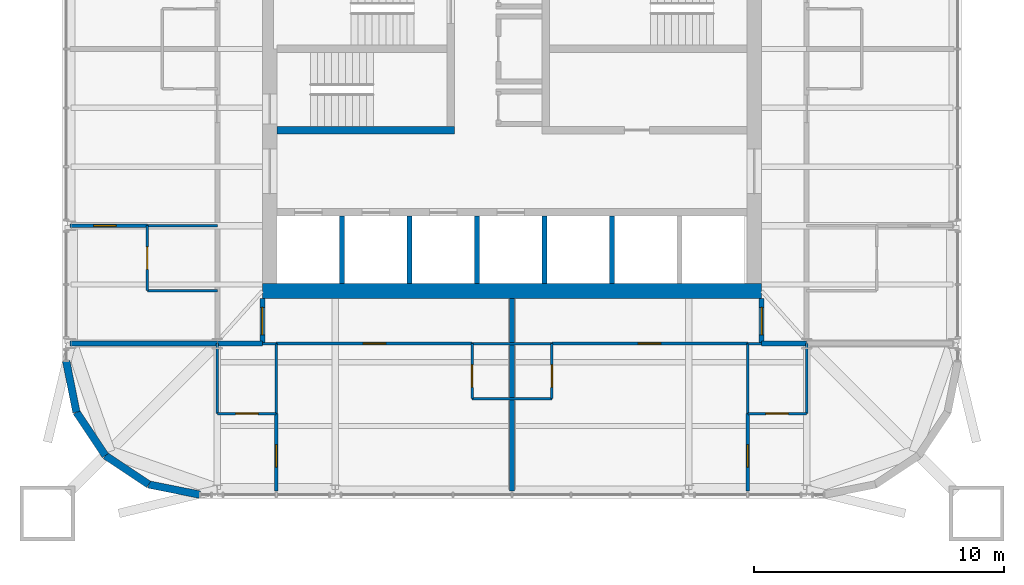
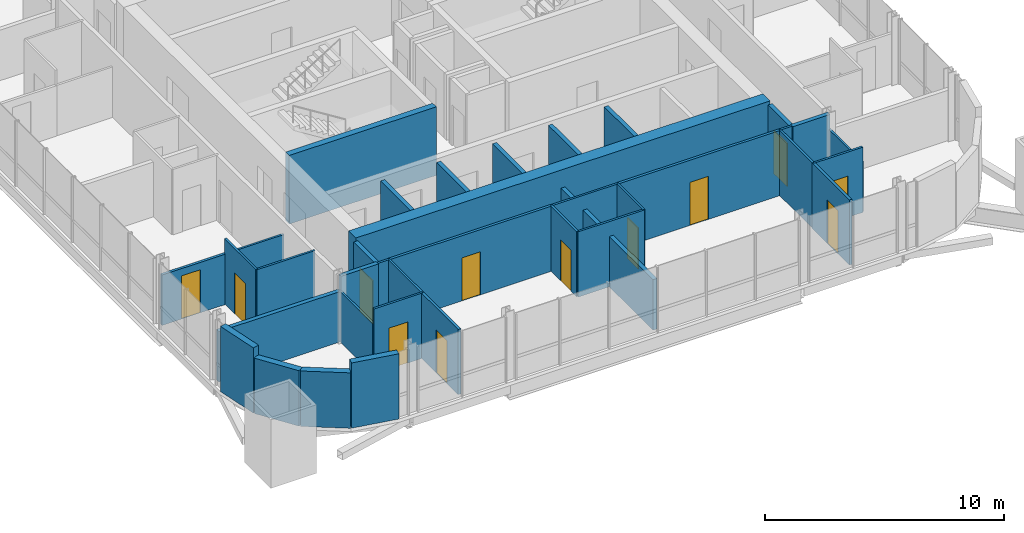
# One storey, part 12 of 16: 37 walls, 12 doors, 12 openings.
"""IFC4 building model written with IfcOpenShell, lengths in metres."""

from ifc_helpers import new_model, si_unit, direction, frame, frame_2d, origin, place, context, subcontext, project, spatial, rectangle, extrude, material, layer, layer_set, type_object, element, fill, save


model = new_model("IFC4")

# Units and contexts
model_context = context("Model", 3, precision=1e-05, world=origin(), true_north=direction((0.0, 1.0)))
body_context = subcontext(model_context, "Body", "Model", "MODEL_VIEW")
ifc_project = project(units=[si_unit("LENGTHUNIT", "METRE"), si_unit("AREAUNIT", "SQUARE_METRE"), si_unit("VOLUMEUNIT", "CUBIC_METRE"), si_unit("PLANEANGLEUNIT", "RADIAN"), si_unit("MASSUNIT", "GRAM", prefix="KILO")], contexts=[model_context])

# Site, building, storey
site_placement = place(None, origin())
site = spatial("IfcSite", under=ifc_project, at=site_placement, CompositionType="ELEMENT")
building_placement = place(site_placement, origin())
building = spatial("IfcBuilding", under=site, at=building_placement, Name="Turquesa Mirador Hotel Tower", CompositionType="ELEMENT")
storey_placement = place(building_placement, frame((0.0, 0.0, 230.199951171875)))
storey = spatial("IfcBuildingStorey", under=building, at=storey_placement, Name="L62", CompositionType="ELEMENT", Elevation=230.199951171875)

# Walls
ifc_material_1 = material(Name="Gypsum board on steel studs", Category="steel")
ifc_layer_1 = layer(ifc_material_1, 0.10009765625)
ifc_layer_set_1 = layer_set([ifc_layer_1], Name="BATHROOM WALL 100")
wall_type_1 = type_object("IfcWallType", Name="BATHROOM WALL 100", PredefinedType="PARTITIONING", material=ifc_layer_set_1)
wall_1_placement = place(storey_placement, frame((45.0, 33.199951171875, 0.0), z_axis=(0.0, 0.0, 1.0), x_axis=(1.0, 0.0, 0.0)))
element("IfcWall", 1, at=wall_1_placement, inside=storey, type_object=wall_type_1, Name="Partition L62 003", PredefinedType="PARTITIONING", context=body_context, shape_type="SweptSolid", body=[
    extrude(rectangle(XDim=0.56005859375, YDim=0.10009765625, at=frame_2d((0.280029296875, 0.0))), origin(), (0.0, 0.0, 1.0), 3.330078125),
])
wall_2_placement = place(storey_placement, frame((53.39990234375, 33.199951171875, 0.0), z_axis=(0.0, 0.0, 1.0), x_axis=(1.0, 0.0, 0.0)))
element("IfcWall", 2, at=wall_2_placement, inside=storey, type_object=wall_type_1, Name="Partition L62 004", PredefinedType="PARTITIONING", context=body_context, shape_type="SweptSolid", body=[
    extrude(rectangle(XDim=3.2001953125, YDim=0.10009765625, at=frame_2d((1.60009765625, 0.0))), origin(), (0.0, 0.0, 1.0), 3.330078125),
])
wall_3_placement = place(storey_placement, frame((64.43994140625, 33.199951171875, 0.0), z_axis=(0.0, 0.0, 1.0), x_axis=(1.0, 0.0, 0.0)))
element("IfcWall", 3, at=wall_3_placement, inside=storey, type_object=wall_type_1, Name="Partition L62 005", PredefinedType="PARTITIONING", context=body_context, shape_type="SweptSolid", body=[
    extrude(rectangle(XDim=0.56005859375, YDim=0.10009765625, at=frame_2d((0.280029296875, 0.0))), origin(), (0.0, 0.0, 1.0), 3.330078125),
])
wall_4_placement = place(storey_placement, frame((53.39990234375, 31.0, 0.0), z_axis=(0.0, 0.0, 1.0), x_axis=(1.0, 0.0, 0.0)))
element("IfcWall", 4, at=wall_4_placement, inside=storey, type_object=wall_type_1, Name="Partition L62 012", PredefinedType="PARTITIONING", context=body_context, shape_type="SweptSolid", body=[
    extrude(rectangle(XDim=3.2001953125, YDim=0.10009765625, at=frame_2d((1.60009765625, 0.0))), origin(), (0.0, 0.0, 1.0), 3.330078125),
])

# Wall, opening, door
wall_5_placement = place(storey_placement, frame((43.199951171875, 30.39990234375, 0.0), z_axis=(0.0, 0.0, 1.0), x_axis=(1.0, 0.0, 0.0)))
wall_5 = element("IfcWall", 5, at=wall_5_placement, inside=storey, type_object=wall_type_1, Name="Partition L62 013", PredefinedType="PARTITIONING", context=body_context, shape_type="SweptSolid", body=[
    extrude(rectangle(XDim=2.360107421875, YDim=0.10009765625, at=frame_2d((1.18017578125, 0.0))), origin(), (0.0, 0.0, 1.0), 3.330078125),
])
opening_1_placement = place(wall_5_placement, frame((0.72998046875, 0.0, 0.0)))
opening_1 = element("IfcOpeningElement", 6, at=opening_1_placement, cuts=wall_5, Name="Opening D02", PredefinedType="OPENING", context=body_context, shape_type="SweptSolid", body=[
    extrude(rectangle(XDim=0.89990234375, YDim=2.10009765625, at=frame_2d((0.449951171875, 1.050048828125))), frame((0.0, 0.06005859375, 0.0), z_axis=(0.0, -1.0, 0.0), x_axis=(1.0, 0.0, 0.0)), (0.0, 0.0, 1.0), 0.1201171875),
])
ifc_material_2 = material(Name="Timber veneered door", Category="wood")
door_type_1 = type_object("IfcDoorType", Name="DOOR 900X2100 EN-SUITE", OperationType="SINGLE_SWING_RIGHT", PredefinedType="DOOR", material=ifc_material_2)
door_1_placement = place(opening_1_placement, origin())
door_1 = element("IfcDoor", 7, at=door_1_placement, inside=storey, type_object=door_type_1, Name="Door 6203B", OperationType="SINGLE_SWING_RIGHT", OverallHeight=2.10009765625, OverallWidth=0.89990234375, PredefinedType="DOOR", context=body_context, shape_type="SweptSolid", body=[
    extrude(rectangle(XDim=0.89990234375, YDim=2.10009765625, at=frame_2d((0.449951171875, 1.050048828125))), frame((0.0, 0.02490234375, 0.0), z_axis=(0.0, -1.0, 0.0), x_axis=(1.0, 0.0, 0.0)), (0.0, 0.0, 1.0), 0.050048828125),
])
fill(opening_1, door_1)

wall_6_placement = place(storey_placement, frame((64.43994140625, 30.39990234375, 0.0), z_axis=(0.0, 0.0, 1.0), x_axis=(1.0, 0.0, 0.0)))
wall_6 = element("IfcWall", 8, at=wall_6_placement, inside=storey, type_object=wall_type_1, Name="Partition L62 014", PredefinedType="PARTITIONING", context=body_context, shape_type="SweptSolid", body=[
    extrude(rectangle(XDim=2.360107421875, YDim=0.10009765625, at=frame_2d((1.18017578125, 0.0))), origin(), (0.0, 0.0, 1.0), 3.330078125),
])
opening_2_placement = place(wall_6_placement, frame((0.72998046875, 0.0, 0.0)))
opening_2 = element("IfcOpeningElement", 9, at=opening_2_placement, cuts=wall_6, Name="Opening D02", PredefinedType="OPENING", context=body_context, shape_type="SweptSolid", body=[
    extrude(rectangle(XDim=0.89990234375, YDim=2.10009765625, at=frame_2d((0.449951171875, 1.050048828125))), frame((0.0, 0.06005859375, 0.0), z_axis=(0.0, -1.0, 0.0), x_axis=(1.0, 0.0, 0.0)), (0.0, 0.0, 1.0), 0.1201171875),
])
door_2_placement = place(opening_2_placement, origin())
door_2 = element("IfcDoor", 10, at=door_2_placement, inside=storey, type_object=door_type_1, Name="Door 6204B", OperationType="SINGLE_SWING_RIGHT", OverallHeight=2.10009765625, OverallWidth=0.89990234375, PredefinedType="DOOR", context=body_context, shape_type="SweptSolid", body=[
    extrude(rectangle(XDim=0.89990234375, YDim=2.10009765625, at=frame_2d((0.449951171875, 1.050048828125))), frame((0.0, 0.02490234375, 0.0), z_axis=(0.0, -1.0, 0.0), x_axis=(1.0, 0.0, 0.0)), (0.0, 0.0, 1.0), 0.050048828125),
])
fill(opening_2, door_2)

# Walls
wall_7_placement = place(storey_placement, frame((40.39990234375, 37.919921875, 0.0), z_axis=(0.0, 0.0, 1.0), x_axis=(1.0, 0.0, 0.0)))
element("IfcWall", 11, at=wall_7_placement, inside=storey, type_object=wall_type_1, Name="Partition L62 015", PredefinedType="PARTITIONING", context=body_context, shape_type="SweptSolid", body=[
    extrude(rectangle(XDim=2.800048828125, YDim=0.10009765625, at=frame_2d((1.39990234375, 0.0))), origin(), (0.0, 0.0, 1.0), 2.5732421875),
])
wall_8_placement = place(storey_placement, frame((40.39990234375, 35.320068359375, 0.0), z_axis=(0.0, 0.0, 1.0), x_axis=(1.0, 0.0, 0.0)))
element("IfcWall", 12, at=wall_8_placement, inside=storey, type_object=wall_type_1, Name="Partition L62 019", PredefinedType="PARTITIONING", context=body_context, shape_type="SweptSolid", body=[
    extrude(rectangle(XDim=2.800048828125, YDim=0.10009765625, at=frame_2d((1.39990234375, 0.0))), origin(), (0.0, 0.0, 1.0), 3.330078125),
])

# Wall, opening, door
wall_9_placement = place(storey_placement, frame((53.39990234375, 31.0, 0.0), z_axis=(0.0, 0.0, 1.0), x_axis=(0.0, 1.0, 0.0)))
wall_9 = element("IfcWall", 13, at=wall_9_placement, inside=storey, type_object=wall_type_1, Name="Partition L62 043", PredefinedType="PARTITIONING", context=body_context, shape_type="SweptSolid", body=[
    extrude(rectangle(XDim=2.199951171875, YDim=0.10009765625, at=frame_2d((1.10009765625, 0.0))), origin(), (0.0, 0.0, 1.0), 3.330078125),
])
opening_3_placement = place(wall_9_placement, frame((0.449951171875, 0.0, 0.0)))
opening_3 = element("IfcOpeningElement", 14, at=opening_3_placement, cuts=wall_9, Name="Opening D06", PredefinedType="OPENING", context=body_context, shape_type="SweptSolid", body=[
    extrude(rectangle(XDim=0.89990234375, YDim=2.10009765625, at=frame_2d((0.449951171875, 1.050048828125))), frame((0.0, 0.06005859375, 0.0), z_axis=(0.0, -1.0, 0.0), x_axis=(1.0, 0.0, 0.0)), (0.0, 0.0, 1.0), 0.1201171875),
])
ifc_material_3 = material(Name="Laminate door", Category="wood")
door_type_2 = type_object("IfcDoorType", Name="DOOR 900X2100 WC", OperationType="SINGLE_SWING_LEFT", PredefinedType="DOOR", material=ifc_material_3)
door_3_placement = place(opening_3_placement, origin())
door_3 = element("IfcDoor", 15, at=door_3_placement, inside=storey, type_object=door_type_2, Name="Door 6203W", OperationType="SINGLE_SWING_LEFT", OverallHeight=2.10009765625, OverallWidth=0.89990234375, PredefinedType="DOOR", context=body_context, shape_type="SweptSolid", body=[
    extrude(rectangle(XDim=0.89990234375, YDim=2.10009765625, at=frame_2d((0.449951171875, 1.050048828125))), frame((0.0, 0.02490234375, 0.0), z_axis=(0.0, -1.0, 0.0), x_axis=(1.0, 0.0, 0.0)), (0.0, 0.0, 1.0), 0.050048828125),
])
fill(opening_3, door_3)

# Wall
wall_10_placement = place(storey_placement, frame((43.199951171875, 30.39990234375, 0.0), z_axis=(0.0, 0.0, 1.0), x_axis=(0.0, 1.0, 0.0)))
element("IfcWall", 16, at=wall_10_placement, inside=storey, type_object=wall_type_1, Name="Partition L62 047", PredefinedType="PARTITIONING", context=body_context, shape_type="SweptSolid", body=[
    extrude(rectangle(XDim=2.800048828125, YDim=0.10009765625, at=frame_2d((1.39990234375, 0.0))), origin(), (0.0, 0.0, 1.0), 2.5732421875),
])

# Wall, opening, door
wall_11_placement = place(storey_placement, frame((40.39990234375, 35.320068359375, 0.0), z_axis=(0.0, 0.0, 1.0), x_axis=(0.0, 1.0, 0.0)))
wall_11 = element("IfcWall", 17, at=wall_11_placement, inside=storey, type_object=wall_type_1, Name="Partition L62 051", PredefinedType="PARTITIONING", context=body_context, shape_type="SweptSolid", body=[
    extrude(rectangle(XDim=2.599853515625, YDim=0.10009765625, at=frame_2d((1.2998046875, 0.0))), origin(), (0.0, 0.0, 1.0), 3.330078125),
])
opening_4_placement = place(wall_11_placement, frame((0.85009765625, 0.0, 0.0)))
opening_4 = element("IfcOpeningElement", 18, at=opening_4_placement, cuts=wall_11, Name="Opening D02", PredefinedType="OPENING", context=body_context, shape_type="SweptSolid", body=[
    extrude(rectangle(XDim=0.89990234375, YDim=2.10009765625, at=frame_2d((0.449951171875, 1.050048828125))), frame((0.0, 0.06005859375, 0.0), z_axis=(0.0, -1.0, 0.0), x_axis=(1.0, 0.0, 0.0)), (0.0, 0.0, 1.0), 0.1201171875),
])
door_4_placement = place(opening_4_placement, origin())
door_4 = element("IfcDoor", 19, at=door_4_placement, inside=storey, type_object=door_type_1, Name="Door 6207B", OperationType="SINGLE_SWING_RIGHT", OverallHeight=2.10009765625, OverallWidth=0.89990234375, PredefinedType="DOOR", context=body_context, shape_type="SweptSolid", body=[
    extrude(rectangle(XDim=0.89990234375, YDim=2.10009765625, at=frame_2d((0.449951171875, 1.050048828125))), frame((0.0, 0.02490234375, 0.0), z_axis=(0.0, -1.0, 0.0), x_axis=(1.0, 0.0, 0.0)), (0.0, 0.0, 1.0), 0.050048828125),
])
fill(opening_4, door_4)

# Wall
wall_12_placement = place(storey_placement, frame((45.56005859375, 30.39990234375, 0.0), z_axis=(0.0, 0.0, 1.0), x_axis=(0.0, 1.0, 0.0)))
element("IfcWall", 20, at=wall_12_placement, inside=storey, type_object=wall_type_1, Name="Partition L62 053", PredefinedType="PARTITIONING", context=body_context, shape_type="SweptSolid", body=[
    extrude(rectangle(XDim=2.800048828125, YDim=0.10009765625, at=frame_2d((1.39990234375, 0.0))), origin(), (0.0, 0.0, 1.0), 3.330078125),
])

# Wall, opening, door
wall_13_placement = place(storey_placement, frame((56.60009765625, 31.0, 0.0), z_axis=(0.0, 0.0, 1.0), x_axis=(0.0, 1.0, 0.0)))
wall_13 = element("IfcWall", 21, at=wall_13_placement, inside=storey, type_object=wall_type_1, Name="Partition L62 059", PredefinedType="PARTITIONING", context=body_context, shape_type="SweptSolid", body=[
    extrude(rectangle(XDim=2.199951171875, YDim=0.10009765625, at=frame_2d((1.10009765625, 0.0))), origin(), (0.0, 0.0, 1.0), 3.330078125),
])
opening_5_placement = place(wall_13_placement, frame((0.449951171875, 0.0, 0.0)))
opening_5 = element("IfcOpeningElement", 22, at=opening_5_placement, cuts=wall_13, Name="Opening D06", PredefinedType="OPENING", context=body_context, shape_type="SweptSolid", body=[
    extrude(rectangle(XDim=0.89990234375, YDim=2.10009765625, at=frame_2d((0.449951171875, 1.050048828125))), frame((0.0, 0.06005859375, 0.0), z_axis=(0.0, -1.0, 0.0), x_axis=(1.0, 0.0, 0.0)), (0.0, 0.0, 1.0), 0.1201171875),
])
door_5_placement = place(opening_5_placement, origin())
door_5 = element("IfcDoor", 23, at=door_5_placement, inside=storey, type_object=door_type_2, Name="Door 6204W", OperationType="SINGLE_SWING_LEFT", OverallHeight=2.10009765625, OverallWidth=0.89990234375, PredefinedType="DOOR", context=body_context, shape_type="SweptSolid", body=[
    extrude(rectangle(XDim=0.89990234375, YDim=2.10009765625, at=frame_2d((0.449951171875, 1.050048828125))), frame((0.0, 0.02490234375, 0.0), z_axis=(0.0, -1.0, 0.0), x_axis=(1.0, 0.0, 0.0)), (0.0, 0.0, 1.0), 0.050048828125),
])
fill(opening_5, door_5)

# Walls
wall_14_placement = place(storey_placement, frame((66.800048828125, 30.39990234375, 0.0), z_axis=(0.0, 0.0, 1.0), x_axis=(0.0, 1.0, 0.0)))
element("IfcWall", 24, at=wall_14_placement, inside=storey, type_object=wall_type_1, Name="Partition L62 063", PredefinedType="PARTITIONING", context=body_context, shape_type="SweptSolid", body=[
    extrude(rectangle(XDim=2.800048828125, YDim=0.10009765625, at=frame_2d((1.39990234375, 0.0))), origin(), (0.0, 0.0, 1.0), 2.5732421875),
])
wall_15_placement = place(storey_placement, frame((64.43994140625, 30.39990234375, 0.0), z_axis=(0.0, 0.0, 1.0), x_axis=(0.0, 1.0, 0.0)))
element("IfcWall", 25, at=wall_15_placement, inside=storey, type_object=wall_type_1, Name="Partition L62 069", PredefinedType="PARTITIONING", context=body_context, shape_type="SweptSolid", body=[
    extrude(rectangle(XDim=2.800048828125, YDim=0.10009765625, at=frame_2d((1.39990234375, 0.0))), origin(), (0.0, 0.0, 1.0), 3.330078125),
])
ifc_material_4 = material(Name="Concrete C50/60", Category="concrete")
ifc_layer_2 = layer(ifc_material_4, 0.300048828125)
ifc_layer_set_2 = layer_set([ifc_layer_2], Name="CORE INNER WALL 300")
wall_type_2 = type_object("IfcWallType", Name="CORE INNER WALL 300", PredefinedType="SHEAR", material=ifc_layer_set_2)
wall_16_placement = place(storey_placement, frame((45.60009765625, 41.75, 0.0), z_axis=(0.0, 0.0, 1.0), x_axis=(1.0, 0.0, 0.0)))
element("IfcWall", 26, at=wall_16_placement, inside=storey, type_object=wall_type_2, Name="Core wall MS-W", PredefinedType="SHEAR", context=body_context, shape_type="SweptSolid", body=[
    extrude(rectangle(XDim=7.099853515625, YDim=0.300048828125, at=frame_2d((3.5498046875, 0.0))), origin(), (0.0, 0.0, 1.0), 3.5),
])
ifc_material_5 = material(Name="Concrete C50/60", Category="concrete")
ifc_layer_3 = layer(ifc_material_5, 0.60009765625)
ifc_layer_set_3 = layer_set([ifc_layer_3], Name="CORE WALL 600")
wall_type_3 = type_object("IfcWallType", Name="CORE WALL 600", PredefinedType="SHEAR", material=ifc_layer_set_3)
wall_17_placement = place(storey_placement, frame((45.0, 35.300048828125, 0.0), z_axis=(0.0, 0.0, 1.0), x_axis=(1.0, 0.0, 0.0)))
element("IfcWall", 27, at=wall_17_placement, inside=storey, type_object=wall_type_3, Name="Core wall S", PredefinedType="SHEAR", context=body_context, shape_type="SweptSolid", body=[
    extrude(rectangle(XDim=20.0, YDim=0.60009765625, at=frame_2d((10.0, 0.0))), origin(), (0.0, 0.0, 1.0), 3.5),
])
ifc_material_6 = material(Name="Fire-rated gypsum board on steel studs", Category="steel")
ifc_layer_4 = layer(ifc_material_6, 0.199951171875)
ifc_layer_set_4 = layer_set([ifc_layer_4], Name="CORRIDOR WALL 200")
wall_type_4 = type_object("IfcWallType", Name="CORRIDOR WALL 200", PredefinedType="PARTITIONING", material=ifc_layer_set_4)
for number, where, z_axis, x_axis, name in (
    (28, (43.199951171875, 33.199951171875, 0.0), (0.0, 0.0, 1.0), (1.0, 0.0, 0.0), "Partition L62 006"),
    (29, (65.0, 33.199951171875, 0.0), (0.0, 0.0, 1.0), (1.0, 0.0, 0.0), "Partition L62 007"),
):
    element("IfcWall", number, at=place(storey_placement, frame(where, z_axis=z_axis, x_axis=x_axis)), inside=storey, type_object=wall_type_4, Name=name, PredefinedType="PARTITIONING", context=body_context, shape_type="SweptSolid", body=[
        extrude(rectangle(XDim=1.800048828125, YDim=0.199951171875, at=frame_2d((0.89990234375, 0.0))), origin(), (0.0, 0.0, 1.0), 3.330078125),
    ])

# Wall, opening, door
wall_18_placement = place(storey_placement, frame((45.0, 33.199951171875, 0.0), z_axis=(0.0, 0.0, 1.0), x_axis=(0.0, 1.0, 0.0)))
wall_18 = element("IfcWall", 30, at=wall_18_placement, inside=storey, type_object=wall_type_4, Name="Partition L62 045", PredefinedType="PARTITIONING", context=body_context, shape_type="SweptSolid", body=[
    extrude(rectangle(XDim=1.800048828125, YDim=0.199951171875, at=frame_2d((0.89990234375, 0.0))), origin(), (0.0, 0.0, 1.0), 3.330078125),
])
opening_6_placement = place(wall_18_placement, frame((0.35009765625, 0.0, 0.0)))
opening_6 = element("IfcOpeningElement", 31, at=opening_6_placement, cuts=wall_18, Name="Opening D15", PredefinedType="OPENING", context=body_context, shape_type="SweptSolid", body=[
    extrude(rectangle(XDim=1.10009765625, YDim=2.199951171875, at=frame_2d((0.550048828125, 1.10009765625))), frame((0.0, 0.10986328125, 0.0), z_axis=(0.0, -1.0, 0.0), x_axis=(1.0, 0.0, 0.0)), (0.0, 0.0, 1.0), 0.219970703125),
])
ifc_material_7 = material(Name="Timber veneered fire door", Category="wood")
door_type_3 = type_object("IfcDoorType", Name="DOOR 1100X2200 SUITE ENTRY", OperationType="SINGLE_SWING_LEFT", PredefinedType="DOOR", material=ifc_material_7)
door_6_placement = place(opening_6_placement, origin())
door_6 = element("IfcDoor", 32, at=door_6_placement, inside=storey, type_object=door_type_3, Name="Door 6203G", OperationType="SINGLE_SWING_LEFT", OverallHeight=2.199951171875, OverallWidth=1.10009765625, PredefinedType="DOOR", context=body_context, shape_type="SweptSolid", body=[
    extrude(rectangle(XDim=1.10009765625, YDim=2.199951171875, at=frame_2d((0.550048828125, 1.10009765625))), frame((0.0, 0.02490234375, 0.0), z_axis=(0.0, -1.0, 0.0), x_axis=(1.0, 0.0, 0.0)), (0.0, 0.0, 1.0), 0.050048828125),
])
fill(opening_6, door_6)

wall_19_placement = place(storey_placement, frame((65.0, 33.199951171875, 0.0), z_axis=(0.0, 0.0, 1.0), x_axis=(0.0, 1.0, 0.0)))
wall_19 = element("IfcWall", 33, at=wall_19_placement, inside=storey, type_object=wall_type_4, Name="Partition L62 061", PredefinedType="PARTITIONING", context=body_context, shape_type="SweptSolid", body=[
    extrude(rectangle(XDim=1.800048828125, YDim=0.199951171875, at=frame_2d((0.89990234375, 0.0))), origin(), (0.0, 0.0, 1.0), 3.330078125),
])
opening_7_placement = place(wall_19_placement, frame((0.35009765625, 0.0, 0.0)))
opening_7 = element("IfcOpeningElement", 34, at=opening_7_placement, cuts=wall_19, Name="Opening D15", PredefinedType="OPENING", context=body_context, shape_type="SweptSolid", body=[
    extrude(rectangle(XDim=1.10009765625, YDim=2.199951171875, at=frame_2d((0.550048828125, 1.10009765625))), frame((0.0, 0.10986328125, 0.0), z_axis=(0.0, -1.0, 0.0), x_axis=(1.0, 0.0, 0.0)), (0.0, 0.0, 1.0), 0.219970703125),
])
door_7_placement = place(opening_7_placement, origin())
door_7 = element("IfcDoor", 35, at=door_7_placement, inside=storey, type_object=door_type_3, Name="Door 6204G", OperationType="SINGLE_SWING_LEFT", OverallHeight=2.199951171875, OverallWidth=1.10009765625, PredefinedType="DOOR", context=body_context, shape_type="SweptSolid", body=[
    extrude(rectangle(XDim=1.10009765625, YDim=2.199951171875, at=frame_2d((0.550048828125, 1.10009765625))), frame((0.0, 0.02490234375, 0.0), z_axis=(0.0, -1.0, 0.0), x_axis=(1.0, 0.0, 0.0)), (0.0, 0.0, 1.0), 0.050048828125),
])
fill(opening_7, door_7)

# Walls
ifc_material_8 = material(Name="Limestone cladding on concrete block", Category="masonry")
ifc_layer_5 = layer(ifc_material_8, 0.300048828125)
ifc_layer_set_5 = layer_set([ifc_layer_5], Name="FACADE WALL 300 STONE PIER")
wall_type_5 = type_object("IfcWallType", Name="FACADE WALL 300 STONE PIER", PredefinedType="SOLIDWALL", material=ifc_layer_set_5)
wall_20_placement = place(storey_placement, frame((37.14990234375, 32.5, 0.0), z_axis=(0.0, 0.0, 1.0), x_axis=(0.195081421501, -0.980787050784, 0.0)))
element("IfcWall", 36, at=wall_20_placement, inside=storey, type_object=wall_type_5, Name="Facade wall L62 bay CWS-L62-06 00", PredefinedType="SOLIDWALL", context=body_context, shape_type="SweptSolid", body=[
    extrude(rectangle(XDim=2.08740234375, YDim=0.300048828125, at=frame_2d((1.043701171875, 0.0))), origin(), (0.0, 0.0, 1.0), 3.330078125),
])
for number, where, z_axis, x_axis, name in (
    (37, (37.55712890625, 30.45263671875, 0.0), (0.0, 0.0, 1.0), (0.555644460423, -0.831420010345, 0.0), "Facade wall L62 bay CWS-L62-06 01"),
    (38, (38.717041015625, 28.717041015625, 0.0), (0.0, 0.0, 1.0), (0.831420010345, -0.555644460423, 0.0), "Facade wall L62 bay CWS-L62-06 02"),
):
    element("IfcWall", number, at=place(storey_placement, frame(where, z_axis=z_axis, x_axis=x_axis)), inside=storey, type_object=wall_type_5, Name=name, PredefinedType="SOLIDWALL", context=body_context, shape_type="SweptSolid", body=[
        extrude(rectangle(XDim=2.08740234375, YDim=0.300048828125, at=frame_2d((1.043701171875, 0.0))), origin(), (0.0, 0.0, 1.0), 2.830078125),
    ])
wall_21_placement = place(storey_placement, frame((40.45263671875, 27.55712890625, 0.0), z_axis=(0.0, 0.0, 1.0), x_axis=(0.980787050784, -0.195081421501, 0.0)))
element("IfcWall", 39, at=wall_21_placement, inside=storey, type_object=wall_type_5, Name="Facade wall L62 bay CWS-L62-06 03", PredefinedType="SOLIDWALL", context=body_context, shape_type="SweptSolid", body=[
    extrude(rectangle(XDim=2.08740234375, YDim=0.300048828125, at=frame_2d((1.043701171875, 0.0))), origin(), (0.0, 0.0, 1.0), 3.330078125),
])
ifc_material_9 = material(Name="Fire-rated gypsum shaft wall on steel studs", Category="steel")
ifc_layer_6 = layer(ifc_material_9, 0.199951171875)
ifc_layer_set_6 = layer_set([ifc_layer_6], Name="LIFT SHAFT DIVIDER 200")
wall_type_6 = type_object("IfcWallType", Name="LIFT SHAFT DIVIDER 200", PredefinedType="PARTITIONING", material=ifc_layer_set_6)
for number, where, z_axis, x_axis, name in (
    (40, (48.199951171875, 35.60009765625, 0.0), (0.0, 0.0, 1.0), (0.0, 1.0, 0.0), "Lift shaft divider"),
    (41, (50.89990234375, 35.60009765625, 0.0), (0.0, 0.0, 1.0), (0.0, 1.0, 0.0), "Lift shaft divider"),
    (42, (53.60009765625, 35.60009765625, 0.0), (0.0, 0.0, 1.0), (0.0, 1.0, 0.0), "Lift shaft divider"),
    (43, (56.300048828125, 35.60009765625, 0.0), (0.0, 0.0, 1.0), (0.0, 1.0, 0.0), "Lift shaft divider"),
    (44, (59.0, 35.60009765625, 0.0), (0.0, 0.0, 1.0), (0.0, 1.0, 0.0), "Lift shaft divider"),
):
    element("IfcWall", number, at=place(storey_placement, frame(where, z_axis=z_axis, x_axis=x_axis)), inside=storey, type_object=wall_type_6, Name=name, PredefinedType="PARTITIONING", context=body_context, shape_type="SweptSolid", body=[
        extrude(rectangle(XDim=2.699951171875, YDim=0.199951171875, at=frame_2d((1.35009765625, 0.0))), origin(), (0.0, 0.0, 1.0), 3.330078125),
    ])
ifc_material_10 = material(Name="Fire-rated gypsum board on steel studs", Category="steel")
ifc_layer_7 = layer(ifc_material_10, 0.199951171875)
ifc_layer_set_7 = layer_set([ifc_layer_7], Name="PARTY WALL 200")
wall_type_7 = type_object("IfcWallType", Name="PARTY WALL 200", PredefinedType="PARTITIONING", material=ifc_layer_set_7)
wall_22_placement = place(storey_placement, frame((37.300048828125, 33.199951171875, 0.0), z_axis=(0.0, 0.0, 1.0), x_axis=(1.0, 0.0, 0.0)))
element("IfcWall", 45, at=wall_22_placement, inside=storey, type_object=wall_type_7, Name="Partition L62 008", PredefinedType="PARTITIONING", context=body_context, shape_type="SweptSolid", body=[
    extrude(rectangle(XDim=5.89990234375, YDim=0.199951171875, at=frame_2d((2.949951171875, 0.0))), origin(), (0.0, 0.0, 1.0), 2.5732421875),
])
wall_23_placement = place(storey_placement, frame((55.0, 27.300048828125, 0.0), z_axis=(0.0, 0.0, 1.0), x_axis=(0.0, 1.0, 0.0)))
element("IfcWall", 46, at=wall_23_placement, inside=storey, type_object=wall_type_7, Name="Partition L62 057", PredefinedType="PARTITIONING", context=body_context, shape_type="SweptSolid", body=[
    extrude(rectangle(XDim=7.699951171875, YDim=0.199951171875, at=frame_2d((3.85009765625, 0.0))), origin(), (0.0, 0.0, 1.0), 2.5732421875),
])

# Wall, opening, door
ifc_material_11 = material(Name="Acoustic gypsum board on steel studs", Category="steel")
ifc_layer_8 = layer(ifc_material_11, 0.125)
ifc_layer_set_8 = layer_set([ifc_layer_8], Name="SUITE PARTITION 125")
wall_type_8 = type_object("IfcWallType", Name="SUITE PARTITION 125", PredefinedType="PARTITIONING", material=ifc_layer_set_8)
wall_24_placement = place(storey_placement, frame((45.56005859375, 33.199951171875, 0.0), z_axis=(0.0, 0.0, 1.0), x_axis=(1.0, 0.0, 0.0)))
wall_24 = element("IfcWall", 47, at=wall_24_placement, inside=storey, type_object=wall_type_8, Name="Partition L62 010", PredefinedType="PARTITIONING", context=body_context, shape_type="SweptSolid", body=[
    extrude(rectangle(XDim=7.83984375, YDim=0.125, at=frame_2d((3.919921875, 0.0))), origin(), (0.0, 0.0, 1.0), 3.330078125),
])
opening_8_placement = place(wall_24_placement, frame((3.489990234375, 0.0, 0.0)))
opening_8 = element("IfcOpeningElement", 48, at=opening_8_placement, cuts=wall_24, Name="Opening D17", PredefinedType="OPENING", context=body_context, shape_type="SweptSolid", body=[
    extrude(rectangle(XDim=0.89990234375, YDim=2.199951171875, at=frame_2d((0.449951171875, 1.10009765625))), frame((0.0, 0.072509765625, 0.0), z_axis=(0.0, -1.0, 0.0), x_axis=(1.0, 0.0, 0.0)), (0.0, 0.0, 1.0), 0.14501953125),
])
ifc_material_12 = material(Name="Timber veneered door", Category="wood")
door_type_4 = type_object("IfcDoorType", Name="DOOR 900X2200 SUITE INTERNAL", OperationType="SINGLE_SWING_LEFT", PredefinedType="DOOR", material=ifc_material_12)
door_8_placement = place(opening_8_placement, origin())
door_8 = element("IfcDoor", 49, at=door_8_placement, inside=storey, type_object=door_type_4, Name="Door 6203", OperationType="SINGLE_SWING_LEFT", OverallHeight=2.199951171875, OverallWidth=0.89990234375, PredefinedType="DOOR", context=body_context, shape_type="SweptSolid", body=[
    extrude(rectangle(XDim=0.89990234375, YDim=2.199951171875, at=frame_2d((0.449951171875, 1.10009765625))), frame((0.0, 0.02490234375, 0.0), z_axis=(0.0, -1.0, 0.0), x_axis=(1.0, 0.0, 0.0)), (0.0, 0.0, 1.0), 0.050048828125),
])
fill(opening_8, door_8)

wall_25_placement = place(storey_placement, frame((56.60009765625, 33.199951171875, 0.0), z_axis=(0.0, 0.0, 1.0), x_axis=(1.0, 0.0, 0.0)))
wall_25 = element("IfcWall", 50, at=wall_25_placement, inside=storey, type_object=wall_type_8, Name="Partition L62 011", PredefinedType="PARTITIONING", context=body_context, shape_type="SweptSolid", body=[
    extrude(rectangle(XDim=7.83984375, YDim=0.125, at=frame_2d((3.919921875, 0.0))), origin(), (0.0, 0.0, 1.0), 3.330078125),
])
opening_9_placement = place(wall_25_placement, frame((3.449951171875, 0.0, 0.0)))
opening_9 = element("IfcOpeningElement", 51, at=opening_9_placement, cuts=wall_25, Name="Opening D17", PredefinedType="OPENING", context=body_context, shape_type="SweptSolid", body=[
    extrude(rectangle(XDim=0.89990234375, YDim=2.199951171875, at=frame_2d((0.449951171875, 1.10009765625))), frame((0.0, 0.072509765625, 0.0), z_axis=(0.0, -1.0, 0.0), x_axis=(1.0, 0.0, 0.0)), (0.0, 0.0, 1.0), 0.14501953125),
])
door_9_placement = place(opening_9_placement, origin())
door_9 = element("IfcDoor", 52, at=door_9_placement, inside=storey, type_object=door_type_4, Name="Door 6204", OperationType="SINGLE_SWING_LEFT", OverallHeight=2.199951171875, OverallWidth=0.89990234375, PredefinedType="DOOR", context=body_context, shape_type="SweptSolid", body=[
    extrude(rectangle(XDim=0.89990234375, YDim=2.199951171875, at=frame_2d((0.449951171875, 1.10009765625))), frame((0.0, 0.02490234375, 0.0), z_axis=(0.0, -1.0, 0.0), x_axis=(1.0, 0.0, 0.0)), (0.0, 0.0, 1.0), 0.050048828125),
])
fill(opening_9, door_9)

wall_26_placement = place(storey_placement, frame((37.300048828125, 37.919921875, 0.0), z_axis=(0.0, 0.0, 1.0), x_axis=(1.0, 0.0, 0.0)))
wall_26 = element("IfcWall", 53, at=wall_26_placement, inside=storey, type_object=wall_type_8, Name="Partition L62 017", PredefinedType="PARTITIONING", context=body_context, shape_type="SweptSolid", body=[
    extrude(rectangle(XDim=3.099853515625, YDim=0.125, at=frame_2d((1.5498046875, 0.0))), origin(), (0.0, 0.0, 1.0), 2.5732421875),
])
opening_10_placement = place(wall_26_placement, frame((0.949951171875, 0.0, 0.0)))
opening_10 = element("IfcOpeningElement", 54, at=opening_10_placement, cuts=wall_26, Name="Opening D17", PredefinedType="OPENING", context=body_context, shape_type="SweptSolid", body=[
    extrude(rectangle(XDim=0.89990234375, YDim=2.199951171875, at=frame_2d((0.449951171875, 1.10009765625))), frame((0.0, 0.072509765625, 0.0), z_axis=(0.0, -1.0, 0.0), x_axis=(1.0, 0.0, 0.0)), (0.0, 0.0, 1.0), 0.14501953125),
])
door_10_placement = place(opening_10_placement, origin())
door_10 = element("IfcDoor", 55, at=door_10_placement, inside=storey, type_object=door_type_4, Name="Door 6207R", OperationType="SINGLE_SWING_LEFT", OverallHeight=2.199951171875, OverallWidth=0.89990234375, PredefinedType="DOOR", context=body_context, shape_type="SweptSolid", body=[
    extrude(rectangle(XDim=0.89990234375, YDim=2.199951171875, at=frame_2d((0.449951171875, 1.10009765625))), frame((0.0, 0.02490234375, 0.0), z_axis=(0.0, -1.0, 0.0), x_axis=(1.0, 0.0, 0.0)), (0.0, 0.0, 1.0), 0.050048828125),
])
fill(opening_10, door_10)

wall_27_placement = place(storey_placement, frame((45.56005859375, 27.300048828125, 0.0), z_axis=(0.0, 0.0, 1.0), x_axis=(0.0, 1.0, 0.0)))
wall_27 = element("IfcWall", 56, at=wall_27_placement, inside=storey, type_object=wall_type_8, Name="Partition L62 055", PredefinedType="PARTITIONING", context=body_context, shape_type="SweptSolid", body=[
    extrude(rectangle(XDim=3.099853515625, YDim=0.125, at=frame_2d((1.5498046875, 0.0))), origin(), (0.0, 0.0, 1.0), 3.330078125),
])
opening_11_placement = place(wall_27_placement, frame((0.949951171875, 0.0, 0.0)))
opening_11 = element("IfcOpeningElement", 57, at=opening_11_placement, cuts=wall_27, Name="Opening D17", PredefinedType="OPENING", context=body_context, shape_type="SweptSolid", body=[
    extrude(rectangle(XDim=0.89990234375, YDim=2.199951171875, at=frame_2d((0.449951171875, 1.10009765625))), frame((0.0, 0.072509765625, 0.0), z_axis=(0.0, -1.0, 0.0), x_axis=(1.0, 0.0, 0.0)), (0.0, 0.0, 1.0), 0.14501953125),
])
door_11_placement = place(opening_11_placement, origin())
door_11 = element("IfcDoor", 58, at=door_11_placement, inside=storey, type_object=door_type_4, Name="Door 6203R", OperationType="SINGLE_SWING_LEFT", OverallHeight=2.199951171875, OverallWidth=0.89990234375, PredefinedType="DOOR", context=body_context, shape_type="SweptSolid", body=[
    extrude(rectangle(XDim=0.89990234375, YDim=2.199951171875, at=frame_2d((0.449951171875, 1.10009765625))), frame((0.0, 0.02490234375, 0.0), z_axis=(0.0, -1.0, 0.0), x_axis=(1.0, 0.0, 0.0)), (0.0, 0.0, 1.0), 0.050048828125),
])
fill(opening_11, door_11)

wall_28_placement = place(storey_placement, frame((64.43994140625, 27.300048828125, 0.0), z_axis=(0.0, 0.0, 1.0), x_axis=(0.0, 1.0, 0.0)))
wall_28 = element("IfcWall", 59, at=wall_28_placement, inside=storey, type_object=wall_type_8, Name="Partition L62 071", PredefinedType="PARTITIONING", context=body_context, shape_type="SweptSolid", body=[
    extrude(rectangle(XDim=3.099853515625, YDim=0.125, at=frame_2d((1.5498046875, 0.0))), origin(), (0.0, 0.0, 1.0), 3.330078125),
])
opening_12_placement = place(wall_28_placement, frame((0.949951171875, 0.0, 0.0)))
opening_12 = element("IfcOpeningElement", 60, at=opening_12_placement, cuts=wall_28, Name="Opening D17", PredefinedType="OPENING", context=body_context, shape_type="SweptSolid", body=[
    extrude(rectangle(XDim=0.89990234375, YDim=2.199951171875, at=frame_2d((0.449951171875, 1.10009765625))), frame((0.0, 0.072509765625, 0.0), z_axis=(0.0, -1.0, 0.0), x_axis=(1.0, 0.0, 0.0)), (0.0, 0.0, 1.0), 0.14501953125),
])
door_12_placement = place(opening_12_placement, origin())
door_12 = element("IfcDoor", 61, at=door_12_placement, inside=storey, type_object=door_type_4, Name="Door 6204R", OperationType="SINGLE_SWING_LEFT", OverallHeight=2.199951171875, OverallWidth=0.89990234375, PredefinedType="DOOR", context=body_context, shape_type="SweptSolid", body=[
    extrude(rectangle(XDim=0.89990234375, YDim=2.199951171875, at=frame_2d((0.449951171875, 1.10009765625))), frame((0.0, 0.02490234375, 0.0), z_axis=(0.0, -1.0, 0.0), x_axis=(1.0, 0.0, 0.0)), (0.0, 0.0, 1.0), 0.050048828125),
])
fill(opening_12, door_12)

save(model, "model.ifc")
